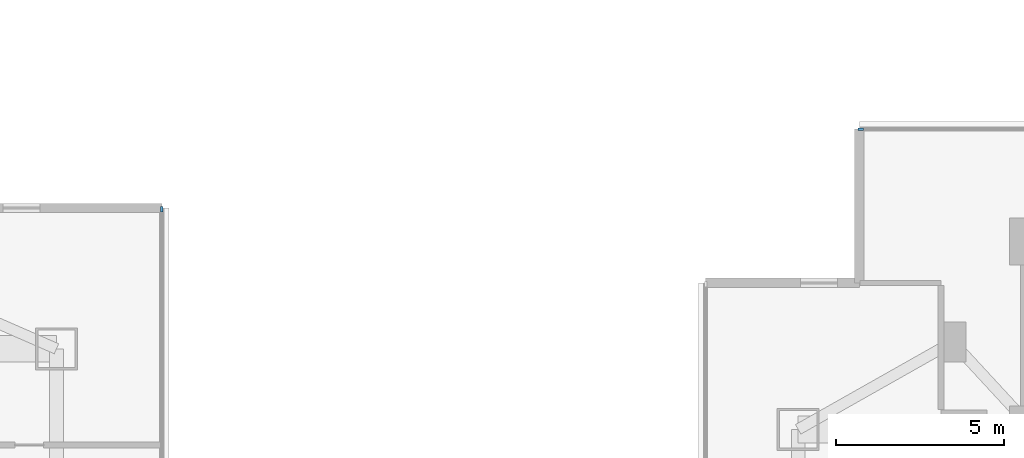
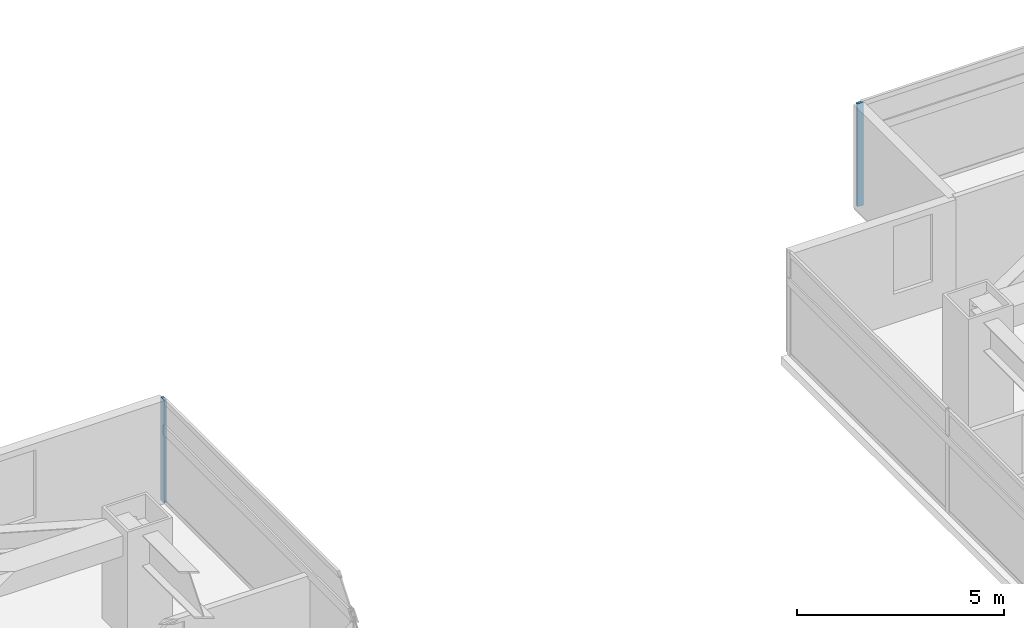
# One storey, part 7 of 23: 2 members, 2 elements without a shape of their own.
"""IFC4 building model written with IfcOpenShell, lengths in metres."""

from ifc_helpers import new_model, si_unit, direction, frame, origin, origin_2d, place, context, subcontext, project, spatial, rectangle, extrude, material, material_profile, profile_set, type_object, element, aggregate, save


model = new_model("IFC4")

# Units and contexts
model_context = context("Model", 3, precision=1e-05, world=origin(), true_north=direction((0.0, 1.0)))
body_context = subcontext(model_context, "Body", "Model", "MODEL_VIEW")
ifc_project = project(units=[si_unit("LENGTHUNIT", "METRE"), si_unit("AREAUNIT", "SQUARE_METRE"), si_unit("VOLUMEUNIT", "CUBIC_METRE"), si_unit("PLANEANGLEUNIT", "RADIAN"), si_unit("MASSUNIT", "GRAM", prefix="KILO")], contexts=[model_context])

# Site, building, storey
site_placement = place(None, origin())
site = spatial("IfcSite", under=ifc_project, at=site_placement, CompositionType="ELEMENT")
building_placement = place(site_placement, origin())
building = spatial("IfcBuilding", under=site, at=building_placement, Name="Mirazonda Arch Towers", CompositionType="ELEMENT")
storey_placement = place(building_placement, frame((0.0, 0.0, 29.0)))
storey = spatial("IfcBuildingStorey", under=building, at=storey_placement, Name="L07", CompositionType="ELEMENT", Elevation=29.0)

# Curtain wall, member
ifc_material_1 = material(Name="Anodised Aluminium and Low-E Glass", Category="aluminium")
curtain_wall_type = type_object("IfcCurtainWallType", Name="CW-HTL-UNIT", PredefinedType="NOTDEFINED", material=ifc_material_1)
curtain_wall_1_placement = place(storey_placement, origin())
curtain_wall_1 = element("IfcCurtainWall", 1, at=curtain_wall_1_placement, inside=storey, type_object=curtain_wall_type, Name="L07 T1 E Facade CW-L07-T1-E", PredefinedType="NOTDEFINED")
ifc_material_2 = material(Name="Anodised Aluminium Alloy", Category="aluminium")
ifc_material_profile = material_profile(ifc_material_2, rectangle(XDim=0.074951171875, YDim=0.1650390625, at=origin_2d()), Name="ALU-MULL-75x165")
ifc_profile_set = profile_set([ifc_material_profile], Name="Anodised Aluminium Alloy")
member_type = type_object("IfcMemberType", Name="MULL-CW-HTL-UNIT", PredefinedType="MULLION", material=ifc_profile_set)
member_1_placement = place(storey_placement, frame((42.0400390625, 41.758544921875, 0.0), z_axis=(0.0, 0.0, 1.0), x_axis=(-1.0, 0.0, 0.0)))
member_1 = element("IfcMember", 2, at=member_1_placement, type_object=member_type, Name="CW-112 mullion 4", PredefinedType="MULLION", context=body_context, shape_type="SweptSolid", body=[
    extrude(rectangle(XDim=0.074951171875, YDim=0.1650390625, at=origin_2d()), origin(), (0.0, 0.0, 1.0), 3.0400390625),
])
aggregate(curtain_wall_1, [member_1])

curtain_wall_2_placement = place(storey_placement, origin())
curtain_wall_2 = element("IfcCurtainWall", 3, at=curtain_wall_2_placement, inside=storey, type_object=curtain_wall_type, Name="L07 T2 N Facade CW-L07-T2-N", PredefinedType="NOTDEFINED")
member_2_placement = place(storey_placement, frame((62.861572265625, 44.146484375, 0.0), z_axis=(0.0, 0.0, 1.0), x_axis=(0.0, 1.0, 0.0)))
member_2 = element("IfcMember", 4, at=member_2_placement, type_object=member_type, Name="CW-112 mullion 1", PredefinedType="MULLION", context=body_context, shape_type="SweptSolid", body=[
    extrude(rectangle(XDim=0.074951171875, YDim=0.1650390625, at=origin_2d()), origin(), (0.0, 0.0, 1.0), 3.0400390625),
])
aggregate(curtain_wall_2, [member_2])

save(model, "model.ifc")
